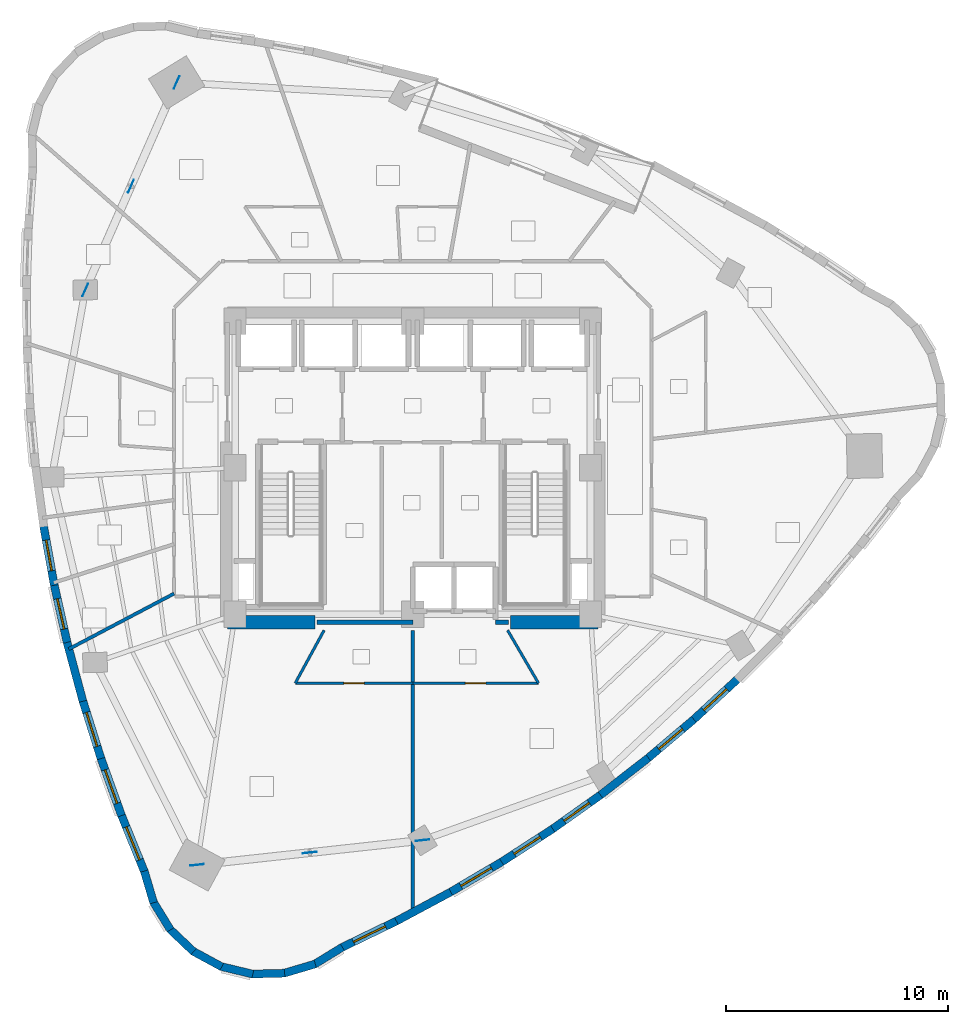
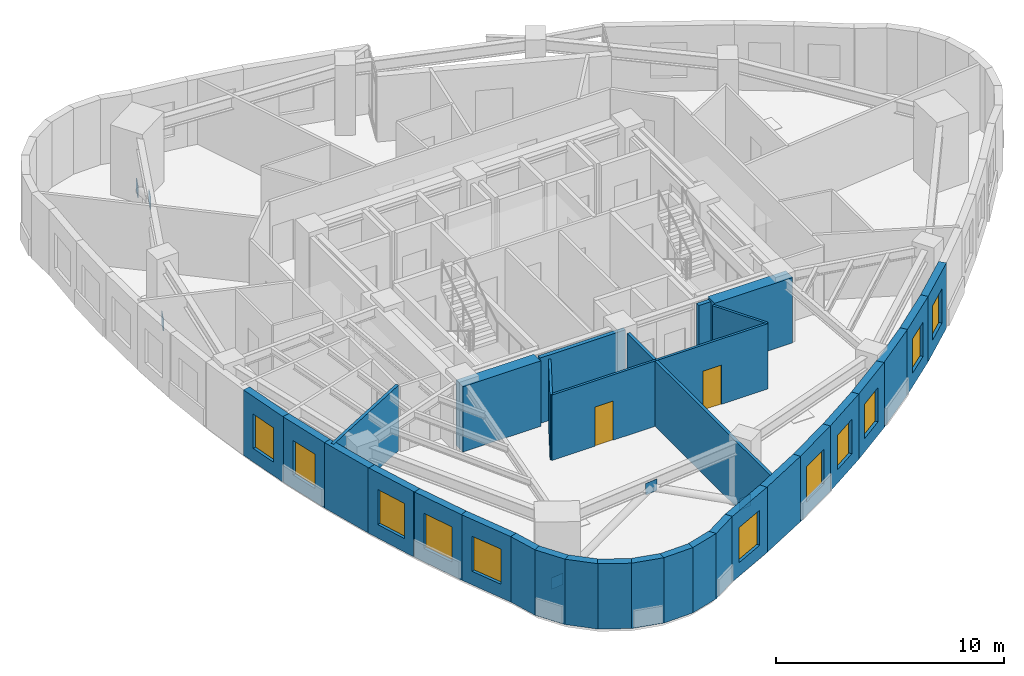
# One storey, part 6 of 13: 32 walls, 11 windows, 6 plates, 2 doors, 13 openings.
"""IFC4 building model written with IfcOpenShell, lengths in metres."""

from ifc_helpers import new_model, si_unit, direction, frame, frame_2d, origin, origin_2d, place, context, subcontext, project, spatial, rectangle, extrude, material, layer, layer_set, type_object, element, fill, save


model = new_model("IFC4")

# Units and contexts
model_context = context("Model", 3, precision=1e-05, world=origin(), true_north=direction((0.0, 1.0)))
body_context = subcontext(model_context, "Body", "Model", "MODEL_VIEW")
ifc_project = project(units=[si_unit("LENGTHUNIT", "METRE"), si_unit("AREAUNIT", "SQUARE_METRE"), si_unit("VOLUMEUNIT", "CUBIC_METRE"), si_unit("PLANEANGLEUNIT", "RADIAN"), si_unit("MASSUNIT", "GRAM", prefix="KILO")], contexts=[model_context])

# Site, building, storey
site_placement = place(None, origin())
site = spatial("IfcSite", under=ifc_project, at=site_placement, CompositionType="ELEMENT")
building_placement = place(site_placement, origin())
building = spatial("IfcBuilding", under=site, at=building_placement, Name="Ndelora Gate Hotel", CompositionType="ELEMENT")
storey_placement = place(building_placement, frame((0.0, 0.0, 157.25)))
storey = spatial("IfcBuildingStorey", under=building, at=storey_placement, Name="L39", CompositionType="ELEMENT", Elevation=157.25)

# Plates
ifc_material_1 = material(Name="Steel S355", Category="steel")
ifc_layer_1 = layer(ifc_material_1, 0.02001953125)
ifc_layer_set_1 = layer_set([ifc_layer_1], Name="Steel S355")
plate_type = type_object("IfcPlateType", Name="PL-NODE-VN1", PredefinedType="USERDEFINED", material=ifc_layer_set_1)
for number, where, z_axis, x_axis, name in (
    (1, (-10.63330078125, 17.351806640625, -0.2900390625), (0.0, 0.0, 1.0), (0.402906435714, 0.915241172621, 0.0), "Node gusset cap plate VN1"),
    (2, (-14.74658203125, 8.006591796875, -0.2900390625), (0.0, 0.0, 1.0), (0.402906435714, 0.915241172621, 0.0), "Node gusset cap plate VN1"),
    (3, (-12.68994140625, 12.67919921875, 2.639892578125), (0.0, 0.0, 1.0), (0.402906435714, 0.915241172621, 0.0), "Node gusset cap plate VN1"),
    (4, (-9.71044921875, -17.884521484375, -0.2900390625), (0.0, 0.0, 1.0), (0.994075323936, 0.108693377634, 0.0), "Node gusset cap plate VN1"),
    (5, (0.439208984375, -16.7744140625, -0.2900390625), (0.0, 0.0, 1.0), (0.994075323936, 0.108693377634, 0.0), "Node gusset cap plate VN1"),
    (6, (-4.6357421875, -17.32958984375, 2.639892578125), (0.0, 0.0, 1.0), (0.994075323936, 0.108693377634, 0.0), "Node gusset cap plate VN1"),
):
    element("IfcPlate", number, at=place(storey_placement, frame(where, z_axis=z_axis, x_axis=x_axis)), inside=storey, type_object=plate_type, Name=name, ObjectType="GUSSET_PLATE", PredefinedType="USERDEFINED", context=body_context, shape_type="SweptSolid", body=[
        extrude(rectangle(XDim=0.6201171875, YDim=0.02001953125, at=origin_2d()), origin(), (0.0, 0.0, 1.0), 0.6201171875),
    ])

# Wall, opening, window
ifc_material_2 = material(Name="Clay Brick Masonry", Category="masonry")
ifc_layer_2 = layer(ifc_material_2, 0.360107421875)
ifc_layer_set_2 = layer_set([ifc_layer_2], Name="Clay Brick Masonry")
wall_type_1 = type_object("IfcWallType", Name="WL-BRICK-360", PredefinedType="SOLIDWALL", material=ifc_layer_set_2)
wall_1_placement = place(storey_placement, frame((-16.143310546875, -5.29443359375, 0.0), z_axis=(0.0, 0.0, 1.0), x_axis=(-0.177366119488, 0.984144938339, 0.0)))
wall_1 = element("IfcWall", 7, at=wall_1_placement, inside=storey, type_object=wall_type_1, Name="L39 Tower Brick Pier-and-Spandrel Wall TWR-15", PredefinedType="SOLIDWALL", context=body_context, shape_type="SweptSolid", body=[
    extrude(rectangle(XDim=2.7294921875, YDim=0.360107421875, at=frame_2d((1.36474609375, 0.0))), origin(), (0.0, 0.0, 1.0), 3.5),
])
opening_1_placement = place(wall_1_placement, frame((0.664794921875, 0.0, 0.719970703125)))
opening_1 = element("IfcOpeningElement", 8, at=opening_1_placement, cuts=wall_1, Name="Opening W02", PredefinedType="OPENING", context=body_context, shape_type="SweptSolid", body=[
    extrude(rectangle(XDim=1.39990234375, YDim=1.840087890625, at=frame_2d((0.699951171875, 0.919921875))), frame((0.0, 0.18994140625, 0.0), z_axis=(0.0, -1.0, 0.0), x_axis=(1.0, 0.0, 0.0)), (0.0, 0.0, 1.0), 0.380126953125),
])
ifc_material_3 = material(Name="Insulated Low-E Double Glazing in Bronze Aluminium Frame", Category="aluminium")
window_type_1 = type_object("IfcWindowType", Name="WN-DEEP-1400", PartitioningType="SINGLE_PANEL", PredefinedType="WINDOW", material=ifc_material_3)
window_1_placement = place(opening_1_placement, origin())
window_1 = element("IfcWindow", 9, at=window_1_placement, inside=storey, type_object=window_type_1, Name="L39 Deep-Set Brick-Pier Window W02", OverallHeight=1.840087890625, OverallWidth=1.39990234375, PartitioningType="SINGLE_PANEL", PredefinedType="WINDOW", context=body_context, shape_type="SweptSolid", body=[
    extrude(rectangle(XDim=1.39990234375, YDim=1.840087890625, at=frame_2d((0.699951171875, 0.919921875))), frame((0.0, 0.030029296875, 0.0), z_axis=(0.0, -1.0, 0.0), x_axis=(1.0, 0.0, 0.0)), (0.0, 0.0, 1.0), 0.06005859375),
])
fill(opening_1, window_1)

wall_2_placement = place(storey_placement, frame((-15.55419921875, -7.91357421875, 0.0), z_axis=(0.0, 0.0, 1.0), x_axis=(-0.219019260065, 0.975720535666, 0.0)))
wall_2 = element("IfcWall", 10, at=wall_2_placement, inside=storey, type_object=wall_type_1, Name="L39 Tower Brick Pier-and-Spandrel Wall TWR-16", PredefinedType="SOLIDWALL", context=body_context, shape_type="SweptSolid", body=[
    extrude(rectangle(XDim=2.734375, YDim=0.360107421875, at=frame_2d((1.3671875, 0.0))), origin(), (0.0, 0.0, 1.0), 3.5),
])
opening_2_placement = place(wall_2_placement, frame((0.667236328125, 0.0, 0.719970703125)))
opening_2 = element("IfcOpeningElement", 11, at=opening_2_placement, cuts=wall_2, Name="Opening W02", PredefinedType="OPENING", context=body_context, shape_type="SweptSolid", body=[
    extrude(rectangle(XDim=1.39990234375, YDim=1.840087890625, at=frame_2d((0.699951171875, 0.919921875))), frame((0.0, 0.18994140625, 0.0), z_axis=(0.0, -1.0, 0.0), x_axis=(1.0, 0.0, 0.0)), (0.0, 0.0, 1.0), 0.380126953125),
])
window_2_placement = place(opening_2_placement, origin())
window_2 = element("IfcWindow", 12, at=window_2_placement, inside=storey, type_object=window_type_1, Name="L39 Deep-Set Brick-Pier Window W02", OverallHeight=1.840087890625, OverallWidth=1.39990234375, PartitioningType="SINGLE_PANEL", PredefinedType="WINDOW", context=body_context, shape_type="SweptSolid", body=[
    extrude(rectangle(XDim=1.39990234375, YDim=1.840087890625, at=frame_2d((0.699951171875, 0.919921875))), frame((0.0, 0.030029296875, 0.0), z_axis=(0.0, -1.0, 0.0), x_axis=(1.0, 0.0, 0.0)), (0.0, 0.0, 1.0), 0.06005859375),
])
fill(opening_2, window_2)

# Wall
wall_3_placement = place(storey_placement, frame((-14.85302734375, -10.5146484375, 0.0), z_axis=(0.0, 0.0, 1.0), x_axis=(-0.259976664172, 0.965614899474, 0.0)))
element("IfcWall", 13, at=wall_3_placement, inside=storey, type_object=wall_type_1, Name="L39 Tower Brick Pier-and-Spandrel Wall TWR-17", PredefinedType="SOLIDWALL", context=body_context, shape_type="SweptSolid", body=[
    extrude(rectangle(XDim=2.743896484375, YDim=0.360107421875, at=frame_2d((1.3720703125, 0.0))), origin(), (0.0, 0.0, 1.0), 3.5),
])

# Wall, opening, window
wall_4_placement = place(storey_placement, frame((-14.039306640625, -13.097900390625, 0.0), z_axis=(0.0, 0.0, 1.0), x_axis=(-0.300063656013, 0.953919180193, 0.0)))
wall_4 = element("IfcWall", 14, at=wall_4_placement, inside=storey, type_object=wall_type_1, Name="L39 Tower Brick Pier-and-Spandrel Wall TWR-18", PredefinedType="SOLIDWALL", context=body_context, shape_type="SweptSolid", body=[
    extrude(rectangle(XDim=2.75830078125, YDim=0.360107421875, at=frame_2d((1.379150390625, 0.0))), origin(), (0.0, 0.0, 1.0), 3.5),
])
opening_3_placement = place(wall_4_placement, frame((0.5791015625, 0.0, 0.719970703125)))
opening_3 = element("IfcOpeningElement", 15, at=opening_3_placement, cuts=wall_4, Name="Opening W01", PredefinedType="OPENING", context=body_context, shape_type="SweptSolid", body=[
    extrude(rectangle(XDim=1.60009765625, YDim=1.8798828125, at=frame_2d((0.800048828125, 0.93994140625))), frame((0.0, 0.18994140625, 0.0), z_axis=(0.0, -1.0, 0.0), x_axis=(1.0, 0.0, 0.0)), (0.0, 0.0, 1.0), 0.380126953125),
])
window_type_2 = type_object("IfcWindowType", Name="WN-DEEP-1600", PartitioningType="SINGLE_PANEL", PredefinedType="WINDOW", material=ifc_material_3)
window_3_placement = place(opening_3_placement, origin())
window_3 = element("IfcWindow", 16, at=window_3_placement, inside=storey, type_object=window_type_2, Name="L39 Deep-Set Brick-Pier Window W01", OverallHeight=1.8798828125, OverallWidth=1.60009765625, PartitioningType="SINGLE_PANEL", PredefinedType="WINDOW", context=body_context, shape_type="SweptSolid", body=[
    extrude(rectangle(XDim=1.60009765625, YDim=1.8798828125, at=frame_2d((0.800048828125, 0.93994140625))), frame((0.0, 0.030029296875, 0.0), z_axis=(0.0, -1.0, 0.0), x_axis=(1.0, 0.0, 0.0)), (0.0, 0.0, 1.0), 0.06005859375),
])
fill(opening_3, window_3)

wall_5_placement = place(storey_placement, frame((-13.113037109375, -15.66357421875, 0.0), z_axis=(0.0, 0.0, 1.0), x_axis=(-0.339208104653, 0.940711359418, 0.0)))
wall_5 = element("IfcWall", 17, at=wall_5_placement, inside=storey, type_object=wall_type_1, Name="L39 Tower Brick Pier-and-Spandrel Wall TWR-19", PredefinedType="SOLIDWALL", context=body_context, shape_type="SweptSolid", body=[
    extrude(rectangle(XDim=2.77734375, YDim=0.360107421875, at=frame_2d((1.388671875, 0.0))), origin(), (0.0, 0.0, 1.0), 3.5),
])
opening_4_placement = place(wall_5_placement, frame((0.5888671875, 0.0, 0.719970703125)))
opening_4 = element("IfcOpeningElement", 18, at=opening_4_placement, cuts=wall_5, Name="Opening W01", PredefinedType="OPENING", context=body_context, shape_type="SweptSolid", body=[
    extrude(rectangle(XDim=1.60009765625, YDim=1.8798828125, at=frame_2d((0.800048828125, 0.93994140625))), frame((0.0, 0.18994140625, 0.0), z_axis=(0.0, -1.0, 0.0), x_axis=(1.0, 0.0, 0.0)), (0.0, 0.0, 1.0), 0.380126953125),
])
window_4_placement = place(opening_4_placement, origin())
window_4 = element("IfcWindow", 19, at=window_4_placement, inside=storey, type_object=window_type_2, Name="L39 Deep-Set Brick-Pier Window W01", OverallHeight=1.8798828125, OverallWidth=1.60009765625, PartitioningType="SINGLE_PANEL", PredefinedType="WINDOW", context=body_context, shape_type="SweptSolid", body=[
    extrude(rectangle(XDim=1.60009765625, YDim=1.8798828125, at=frame_2d((0.800048828125, 0.93994140625))), frame((0.0, 0.030029296875, 0.0), z_axis=(0.0, -1.0, 0.0), x_axis=(1.0, 0.0, 0.0)), (0.0, 0.0, 1.0), 0.06005859375),
])
fill(opening_4, window_4)

wall_6_placement = place(storey_placement, frame((-12.07421875, -18.211181640625, 0.0), z_axis=(0.0, 0.0, 1.0), x_axis=(-0.377183384967, 0.926138593357, 0.0)))
wall_6 = element("IfcWall", 20, at=wall_6_placement, inside=storey, type_object=wall_type_1, Name="L39 Tower Brick Pier-and-Spandrel Wall TWR-20", PredefinedType="SOLIDWALL", context=body_context, shape_type="SweptSolid", body=[
    extrude(rectangle(XDim=2.801513671875, YDim=0.360107421875, at=frame_2d((1.40087890625, 0.0))), origin(), (0.0, 0.0, 1.0), 3.5),
])
opening_5_placement = place(wall_6_placement, frame((0.6005859375, 0.0, 0.719970703125)))
opening_5 = element("IfcOpeningElement", 21, at=opening_5_placement, cuts=wall_6, Name="Opening W01", PredefinedType="OPENING", context=body_context, shape_type="SweptSolid", body=[
    extrude(rectangle(XDim=1.60009765625, YDim=1.8798828125, at=frame_2d((0.800048828125, 0.93994140625))), frame((0.0, 0.18994140625, 0.0), z_axis=(0.0, -1.0, 0.0), x_axis=(1.0, 0.0, 0.0)), (0.0, 0.0, 1.0), 0.380126953125),
])
window_5_placement = place(opening_5_placement, origin())
window_5 = element("IfcWindow", 22, at=window_5_placement, inside=storey, type_object=window_type_2, Name="L39 Deep-Set Brick-Pier Window W01", OverallHeight=1.8798828125, OverallWidth=1.60009765625, PartitioningType="SINGLE_PANEL", PredefinedType="WINDOW", context=body_context, shape_type="SweptSolid", body=[
    extrude(rectangle(XDim=1.60009765625, YDim=1.8798828125, at=frame_2d((0.800048828125, 0.93994140625))), frame((0.0, 0.030029296875, 0.0), z_axis=(0.0, -1.0, 0.0), x_axis=(1.0, 0.0, 0.0)), (0.0, 0.0, 1.0), 0.06005859375),
])
fill(opening_5, window_5)

# Walls
for number, where, z_axis, x_axis, name in (
    (23, (-11.668701171875, -19.588623046875, 0.0), (0.0, 0.0, 1.0), (-0.284105113664, 0.95879313952, 0.0), "L39 Tower Brick Pier-and-Spandrel Wall TWR-21"),
    (24, (-10.91259765625, -20.81005859375, 0.0), (0.0, 0.0, 1.0), (-0.522519673624, 0.852627228439, 0.0), "L39 Tower Brick Pier-and-Spandrel Wall TWR-22"),
    (25, (-9.8662109375, -21.79443359375, 0.0), (0.0, 0.0, 1.0), (-0.725270134981, 0.688464400899, 0.0), "L39 Tower Brick Pier-and-Spandrel Wall TWR-23"),
):
    element("IfcWall", number, at=place(storey_placement, frame(where, z_axis=z_axis, x_axis=x_axis)), inside=storey, type_object=wall_type_1, Name=name, PredefinedType="SOLIDWALL", context=body_context, shape_type="SweptSolid", body=[
        extrude(rectangle(XDim=1.48583984375, YDim=0.360107421875, at=frame_2d((0.742919921875, 0.0))), origin(), (0.0, 0.0, 1.0), 3.5),
    ])
wall_7_placement = place(storey_placement, frame((-8.6005859375, -22.47412109375, 0.0), z_axis=(0.0, 0.0, 1.0), x_axis=(-0.878867212286, 0.477066476677, 0.0)))
element("IfcWall", 26, at=wall_7_placement, inside=storey, type_object=wall_type_1, Name="L39 Tower Brick Pier-and-Spandrel Wall TWR-24", PredefinedType="SOLIDWALL", context=body_context, shape_type="SweptSolid", body=[
    extrude(rectangle(XDim=1.485595703125, YDim=0.360107421875, at=frame_2d((0.74267578125, 0.0))), origin(), (0.0, 0.0, 1.0), 3.5),
])
wall_8_placement = place(storey_placement, frame((-7.201904296875, -22.80322265625, 0.0), z_axis=(0.0, 0.0, 1.0), x_axis=(-0.972399232605, 0.233323235941, 0.0)))
element("IfcWall", 27, at=wall_8_placement, inside=storey, type_object=wall_type_1, Name="L39 Tower Brick Pier-and-Spandrel Wall TWR-25", PredefinedType="SOLIDWALL", context=body_context, shape_type="SweptSolid", body=[
    extrude(rectangle(XDim=1.48583984375, YDim=0.360107421875, at=frame_2d((0.742919921875, 0.0))), origin(), (0.0, 0.0, 1.0), 3.5),
])
wall_9_placement = place(storey_placement, frame((-5.76611328125, -22.75927734375, 0.0), z_axis=(0.0, 0.0, 1.0), x_axis=(-0.999658566483, -0.026129494011, 0.0)))
element("IfcWall", 28, at=wall_9_placement, inside=storey, type_object=wall_type_1, Name="L39 Tower Brick Pier-and-Spandrel Wall TWR-26", PredefinedType="SOLIDWALL", context=body_context, shape_type="SweptSolid", body=[
    extrude(rectangle(XDim=1.485595703125, YDim=0.360107421875, at=frame_2d((0.74267578125, 0.0))), origin(), (0.0, 0.0, 1.0), 3.5),
])
for number, where, z_axis, x_axis, name in (
    (29, (-4.390380859375, -22.344970703125, 0.0), (0.0, 0.0, 1.0), (-0.95879313952, -0.284105113664, 0.0), "L39 Tower Brick Pier-and-Spandrel Wall TWR-27"),
    (30, (-3.1689453125, -21.5888671875, 0.0), (0.0, 0.0, 1.0), (-0.852627228439, -0.522519673624, 0.0), "L39 Tower Brick Pier-and-Spandrel Wall TWR-28"),
):
    element("IfcWall", number, at=place(storey_placement, frame(where, z_axis=z_axis, x_axis=x_axis)), inside=storey, type_object=wall_type_1, Name=name, PredefinedType="SOLIDWALL", context=body_context, shape_type="SweptSolid", body=[
        extrude(rectangle(XDim=1.48583984375, YDim=0.360107421875, at=frame_2d((0.742919921875, 0.0))), origin(), (0.0, 0.0, 1.0), 3.5),
    ])

# Wall, opening, window
wall_10_placement = place(storey_placement, frame((-0.69140625, -20.391845703125, 0.0), z_axis=(0.0, 0.0, 1.0), x_axis=(-0.900020320683, -0.435847934902, 0.0)))
wall_10 = element("IfcWall", 31, at=wall_10_placement, inside=storey, type_object=wall_type_1, Name="L39 Tower Brick Pier-and-Spandrel Wall TWR-29", PredefinedType="SOLIDWALL", context=body_context, shape_type="SweptSolid", body=[
    extrude(rectangle(XDim=2.80126953125, YDim=0.360107421875, at=frame_2d((1.400634765625, 0.0))), origin(), (0.0, 0.0, 1.0), 3.5),
])
opening_6_placement = place(wall_10_placement, frame((0.6005859375, 0.0, 0.719970703125)))
opening_6 = element("IfcOpeningElement", 32, at=opening_6_placement, cuts=wall_10, Name="Opening W03", PredefinedType="OPENING", context=body_context, shape_type="SweptSolid", body=[
    extrude(rectangle(XDim=1.60009765625, YDim=1.8798828125, at=frame_2d((0.800048828125, 0.93994140625))), frame((0.0, 0.18994140625, 0.0), z_axis=(0.0, -1.0, 0.0), x_axis=(1.0, 0.0, 0.0)), (0.0, 0.0, 1.0), 0.380126953125),
])
window_type_3 = type_object("IfcWindowType", Name="WN-CORN-2100", PartitioningType="SINGLE_PANEL", PredefinedType="WINDOW", material=ifc_material_3)
window_6_placement = place(opening_6_placement, origin())
window_6 = element("IfcWindow", 33, at=window_6_placement, inside=storey, type_object=window_type_3, Name="L39 Deep-Set Brick-Pier Window W03", OverallHeight=1.8798828125, OverallWidth=1.60009765625, PartitioningType="SINGLE_PANEL", PredefinedType="WINDOW", context=body_context, shape_type="SweptSolid", body=[
    extrude(rectangle(XDim=1.60009765625, YDim=1.8798828125, at=frame_2d((0.800048828125, 0.93994140625))), frame((0.0, 0.030029296875, 0.0), z_axis=(0.0, -1.0, 0.0), x_axis=(1.0, 0.0, 0.0)), (0.0, 0.0, 1.0), 0.06005859375),
])
fill(opening_6, window_6)

# Wall
wall_11_placement = place(storey_placement, frame((1.71240234375, -19.103271484375, 0.0), z_axis=(0.0, 0.0, 1.0), x_axis=(-0.881541378785, -0.472106764927, 0.0)))
element("IfcWall", 34, at=wall_11_placement, inside=storey, type_object=wall_type_1, Name="L39 Tower Brick Pier-and-Spandrel Wall TWR-30", PredefinedType="SOLIDWALL", context=body_context, shape_type="SweptSolid", body=[
    extrude(rectangle(XDim=2.777587890625, YDim=0.360107421875, at=frame_2d((1.388671875, 0.0))), origin(), (0.0, 0.0, 1.0), 3.5),
])

# Wall, opening, window
wall_12_placement = place(storey_placement, frame((4.044677734375, -17.726318359375, 0.0), z_axis=(0.0, 0.0, 1.0), x_axis=(-0.861319225374, -0.508064161304, 0.0)))
wall_12 = element("IfcWall", 35, at=wall_12_placement, inside=storey, type_object=wall_type_1, Name="L39 Tower Brick Pier-and-Spandrel Wall TWR-31", PredefinedType="SOLIDWALL", context=body_context, shape_type="SweptSolid", body=[
    extrude(rectangle(XDim=2.75830078125, YDim=0.360107421875, at=frame_2d((1.379150390625, 0.0))), origin(), (0.0, 0.0, 1.0), 3.5),
])
opening_7_placement = place(wall_12_placement, frame((0.5791015625, 0.0, 0.719970703125)))
opening_7 = element("IfcOpeningElement", 36, at=opening_7_placement, cuts=wall_12, Name="Opening W01", PredefinedType="OPENING", context=body_context, shape_type="SweptSolid", body=[
    extrude(rectangle(XDim=1.60009765625, YDim=1.8798828125, at=frame_2d((0.800048828125, 0.93994140625))), frame((0.0, 0.18994140625, 0.0), z_axis=(0.0, -1.0, 0.0), x_axis=(1.0, 0.0, 0.0)), (0.0, 0.0, 1.0), 0.380126953125),
])
window_7_placement = place(opening_7_placement, origin())
window_7 = element("IfcWindow", 37, at=window_7_placement, inside=storey, type_object=window_type_2, Name="L39 Deep-Set Brick-Pier Window W01", OverallHeight=1.8798828125, OverallWidth=1.60009765625, PartitioningType="SINGLE_PANEL", PredefinedType="WINDOW", context=body_context, shape_type="SweptSolid", body=[
    extrude(rectangle(XDim=1.60009765625, YDim=1.8798828125, at=frame_2d((0.800048828125, 0.93994140625))), frame((0.0, 0.030029296875, 0.0), z_axis=(0.0, -1.0, 0.0), x_axis=(1.0, 0.0, 0.0)), (0.0, 0.0, 1.0), 0.06005859375),
])
fill(opening_7, window_7)

wall_13_placement = place(storey_placement, frame((6.305419921875, -16.2607421875, 0.0), z_axis=(0.0, 0.0, 1.0), x_axis=(-0.839300336379, -0.543668047023, 0.0)))
wall_13 = element("IfcWall", 38, at=wall_13_placement, inside=storey, type_object=wall_type_1, Name="L39 Tower Brick Pier-and-Spandrel Wall TWR-32", PredefinedType="SOLIDWALL", context=body_context, shape_type="SweptSolid", body=[
    extrude(rectangle(XDim=2.744140625, YDim=0.360107421875, at=frame_2d((1.3720703125, 0.0))), origin(), (0.0, 0.0, 1.0), 3.5),
])
opening_8_placement = place(wall_13_placement, frame((0.672119140625, 0.0, 0.719970703125)))
opening_8 = element("IfcOpeningElement", 39, at=opening_8_placement, cuts=wall_13, Name="Opening W02", PredefinedType="OPENING", context=body_context, shape_type="SweptSolid", body=[
    extrude(rectangle(XDim=1.39990234375, YDim=1.840087890625, at=frame_2d((0.699951171875, 0.919921875))), frame((0.0, 0.18994140625, 0.0), z_axis=(0.0, -1.0, 0.0), x_axis=(1.0, 0.0, 0.0)), (0.0, 0.0, 1.0), 0.380126953125),
])
window_8_placement = place(opening_8_placement, origin())
window_8 = element("IfcWindow", 40, at=window_8_placement, inside=storey, type_object=window_type_1, Name="L39 Deep-Set Brick-Pier Window W02", OverallHeight=1.840087890625, OverallWidth=1.39990234375, PartitioningType="SINGLE_PANEL", PredefinedType="WINDOW", context=body_context, shape_type="SweptSolid", body=[
    extrude(rectangle(XDim=1.39990234375, YDim=1.840087890625, at=frame_2d((0.699951171875, 0.919921875))), frame((0.0, 0.030029296875, 0.0), z_axis=(0.0, -1.0, 0.0), x_axis=(1.0, 0.0, 0.0)), (0.0, 0.0, 1.0), 0.06005859375),
])
fill(opening_8, window_8)

wall_14_placement = place(storey_placement, frame((8.494140625, -14.706787109375, 0.0), z_axis=(0.0, 0.0, 1.0), x_axis=(-0.815629470239, -0.578574599579, 0.0)))
wall_14 = element("IfcWall", 41, at=wall_14_placement, inside=storey, type_object=wall_type_1, Name="L39 Tower Brick Pier-and-Spandrel Wall TWR-33", PredefinedType="SOLIDWALL", context=body_context, shape_type="SweptSolid", body=[
    extrude(rectangle(XDim=2.734375, YDim=0.360107421875, at=frame_2d((1.3671875, 0.0))), origin(), (0.0, 0.0, 1.0), 3.5),
])
opening_9_placement = place(wall_14_placement, frame((0.667236328125, 0.0, 0.719970703125)))
opening_9 = element("IfcOpeningElement", 42, at=opening_9_placement, cuts=wall_14, Name="Opening W02", PredefinedType="OPENING", context=body_context, shape_type="SweptSolid", body=[
    extrude(rectangle(XDim=1.39990234375, YDim=1.840087890625, at=frame_2d((0.699951171875, 0.919921875))), frame((0.0, 0.18994140625, 0.0), z_axis=(0.0, -1.0, 0.0), x_axis=(1.0, 0.0, 0.0)), (0.0, 0.0, 1.0), 0.380126953125),
])
window_9_placement = place(opening_9_placement, origin())
window_9 = element("IfcWindow", 43, at=window_9_placement, inside=storey, type_object=window_type_1, Name="L39 Deep-Set Brick-Pier Window W02", OverallHeight=1.840087890625, OverallWidth=1.39990234375, PartitioningType="SINGLE_PANEL", PredefinedType="WINDOW", context=body_context, shape_type="SweptSolid", body=[
    extrude(rectangle(XDim=1.39990234375, YDim=1.840087890625, at=frame_2d((0.699951171875, 0.919921875))), frame((0.0, 0.030029296875, 0.0), z_axis=(0.0, -1.0, 0.0), x_axis=(1.0, 0.0, 0.0)), (0.0, 0.0, 1.0), 0.06005859375),
])
fill(opening_9, window_9)

# Wall
wall_15_placement = place(storey_placement, frame((10.611328125, -13.064208984375, 0.0), z_axis=(0.0, 0.0, 1.0), x_axis=(-0.790324098026, -0.612689007637, 0.0)))
element("IfcWall", 44, at=wall_15_placement, inside=storey, type_object=wall_type_1, Name="L39 Tower Brick Pier-and-Spandrel Wall TWR-34", PredefinedType="SOLIDWALL", context=body_context, shape_type="SweptSolid", body=[
    extrude(rectangle(XDim=2.7294921875, YDim=0.360107421875, at=frame_2d((1.36474609375, 0.0))), origin(), (0.0, 0.0, 1.0), 3.5),
])

# Wall, opening, window
wall_16_placement = place(storey_placement, frame((12.65673828125, -11.333251953125, 0.0), z_axis=(0.0, 0.0, 1.0), x_axis=(-0.76358981137, -0.645701633862, 0.0)))
wall_16 = element("IfcWall", 45, at=wall_16_placement, inside=storey, type_object=wall_type_1, Name="L39 Tower Brick Pier-and-Spandrel Wall TWR-35", PredefinedType="SOLIDWALL", context=body_context, shape_type="SweptSolid", body=[
    extrude(rectangle(XDim=2.7294921875, YDim=0.360107421875, at=frame_2d((1.36474609375, 0.0))), origin(), (0.0, 0.0, 1.0), 3.5),
])
opening_10_placement = place(wall_16_placement, frame((0.664794921875, 0.0, 0.719970703125)))
opening_10 = element("IfcOpeningElement", 46, at=opening_10_placement, cuts=wall_16, Name="Opening W02", PredefinedType="OPENING", context=body_context, shape_type="SweptSolid", body=[
    extrude(rectangle(XDim=1.39990234375, YDim=1.840087890625, at=frame_2d((0.699951171875, 0.919921875))), frame((0.0, 0.18994140625, 0.0), z_axis=(0.0, -1.0, 0.0), x_axis=(1.0, 0.0, 0.0)), (0.0, 0.0, 1.0), 0.380126953125),
])
window_10_placement = place(opening_10_placement, origin())
window_10 = element("IfcWindow", 47, at=window_10_placement, inside=storey, type_object=window_type_1, Name="L39 Deep-Set Brick-Pier Window W02", OverallHeight=1.840087890625, OverallWidth=1.39990234375, PartitioningType="SINGLE_PANEL", PredefinedType="WINDOW", context=body_context, shape_type="SweptSolid", body=[
    extrude(rectangle(XDim=1.39990234375, YDim=1.840087890625, at=frame_2d((0.699951171875, 0.919921875))), frame((0.0, 0.030029296875, 0.0), z_axis=(0.0, -1.0, 0.0), x_axis=(1.0, 0.0, 0.0)), (0.0, 0.0, 1.0), 0.06005859375),
])
fill(opening_10, window_10)

wall_17_placement = place(storey_placement, frame((14.630615234375, -9.513671875, 0.0), z_axis=(0.0, 0.0, 1.0), x_axis=(-0.735528713193, -0.677493551312, 0.0)))
wall_17 = element("IfcWall", 48, at=wall_17_placement, inside=storey, type_object=wall_type_1, Name="L39 Tower Brick Pier-and-Spandrel Wall TWR-36", PredefinedType="SOLIDWALL", context=body_context, shape_type="SweptSolid", body=[
    extrude(rectangle(XDim=2.734375, YDim=0.360107421875, at=frame_2d((1.3671875, 0.0))), origin(), (0.0, 0.0, 1.0), 3.5),
])
opening_11_placement = place(wall_17_placement, frame((0.667236328125, 0.0, 0.719970703125)))
opening_11 = element("IfcOpeningElement", 49, at=opening_11_placement, cuts=wall_17, Name="Opening W02", PredefinedType="OPENING", context=body_context, shape_type="SweptSolid", body=[
    extrude(rectangle(XDim=1.39990234375, YDim=1.840087890625, at=frame_2d((0.699951171875, 0.919921875))), frame((0.0, 0.18994140625, 0.0), z_axis=(0.0, -1.0, 0.0), x_axis=(1.0, 0.0, 0.0)), (0.0, 0.0, 1.0), 0.380126953125),
])
window_11_placement = place(opening_11_placement, origin())
window_11 = element("IfcWindow", 50, at=window_11_placement, inside=storey, type_object=window_type_1, Name="L39 Deep-Set Brick-Pier Window W02", OverallHeight=1.840087890625, OverallWidth=1.39990234375, PartitioningType="SINGLE_PANEL", PredefinedType="WINDOW", context=body_context, shape_type="SweptSolid", body=[
    extrude(rectangle(XDim=1.39990234375, YDim=1.840087890625, at=frame_2d((0.699951171875, 0.919921875))), frame((0.0, 0.030029296875, 0.0), z_axis=(0.0, -1.0, 0.0), x_axis=(1.0, 0.0, 0.0)), (0.0, 0.0, 1.0), 0.06005859375),
])
fill(opening_11, window_11)

# Walls
ifc_material_4 = material(Name="Concrete C60/75", Category="concrete")
ifc_layer_3 = layer(ifc_material_4, 0.60009765625)
ifc_layer_set_3 = layer_set([ifc_layer_3], Name="Concrete C60/75")
wall_type_2 = type_object("IfcWallType", Name="WL-CORE-600", PredefinedType="SHEAR", material=ifc_layer_set_3)
for number, where, z_axis, x_axis, name in (
    (51, (-8.35009765625, -6.949951171875, 0.0), (0.0, 0.0, 1.0), (1.0, 0.0, 0.0), "L39 Core Shear Wall S-W"),
    (52, (4.39990234375, -6.949951171875, 0.0), (0.0, 0.0, 1.0), (1.0, 0.0, 0.0), "L39 Core Shear Wall S-E"),
):
    element("IfcWall", number, at=place(storey_placement, frame(where, z_axis=z_axis, x_axis=x_axis)), inside=storey, type_object=wall_type_2, Name=name, PredefinedType="SHEAR", context=body_context, shape_type="SweptSolid", body=[
        extrude(rectangle(XDim=3.9501953125, YDim=0.60009765625, at=frame_2d((1.97509765625, 0.0))), origin(), (0.0, 0.0, 1.0), 3.5),
    ])
ifc_material_5 = material(Name="Concrete C40/50", Category="concrete")
ifc_layer_4 = layer(ifc_material_5, 0.199951171875)
ifc_layer_set_4 = layer_set([ifc_layer_4], Name="Concrete C40/50")
wall_type_3 = type_object("IfcWallType", Name="WL-FIRE-200", PredefinedType="PARTITIONING", material=ifc_layer_set_4)
wall_18_placement = place(storey_placement, frame((-4.320068359375, -6.949951171875, 0.0), z_axis=(0.0, 0.0, 1.0), x_axis=(1.0, 0.0, 0.0)))
element("IfcWall", 53, at=wall_18_placement, inside=storey, type_object=wall_type_3, Name="L39 Interior Wall IW-2", PredefinedType="PARTITIONING", context=body_context, shape_type="SweptSolid", body=[
    extrude(rectangle(XDim=4.320068359375, YDim=0.199951171875, at=frame_2d((2.16015625, 0.0))), origin(), (0.0, 0.0, 1.0), 3.5),
])
wall_19_placement = place(storey_placement, frame((3.719970703125, -6.949951171875, 0.0), z_axis=(0.0, 0.0, 1.0), x_axis=(1.0, 0.0, 0.0)))
element("IfcWall", 54, at=wall_19_placement, inside=storey, type_object=wall_type_3, Name="L39 Interior Wall IW-2", PredefinedType="PARTITIONING", context=body_context, shape_type="SweptSolid", body=[
    extrude(rectangle(XDim=0.60009765625, YDim=0.199951171875, at=frame_2d((0.300048828125, 0.0))), origin(), (0.0, 0.0, 1.0), 3.5),
])
ifc_material_6 = material(Name="Fire-Rated Gypsum Stud Partition", Category="gypsum")
ifc_layer_5 = layer(ifc_material_6, 0.14990234375)
ifc_layer_set_5 = layer_set([ifc_layer_5], Name="Fire-Rated Gypsum Stud Partition")
wall_type_4 = type_object("IfcWallType", Name="WL-PART-150", PredefinedType="PARTITIONING", material=ifc_layer_set_5)
wall_20_placement = place(storey_placement, frame((-10.75, -5.667724609375, 0.0), z_axis=(0.0, 0.0, 1.0), x_axis=(-0.884578678767, -0.466390995915, 0.0)))
element("IfcWall", 55, at=wall_20_placement, inside=storey, type_object=wall_type_4, Name="L39 Interior Wall IW-5", PredefinedType="PARTITIONING", context=body_context, shape_type="SweptSolid", body=[
    extrude(rectangle(XDim=5.353515625, YDim=0.14990234375, at=frame_2d((2.6767578125, 0.0))), origin(), (0.0, 0.0, 1.0), 3.5),
])
wall_21_placement = place(storey_placement, frame((0.0, -7.320068359375, 0.0), z_axis=(0.0, 0.0, 1.0), x_axis=(0.0, -1.0, 0.0)))
element("IfcWall", 56, at=wall_21_placement, inside=storey, type_object=wall_type_4, Name="L39 Interior Wall IW-5", PredefinedType="PARTITIONING", context=body_context, shape_type="SweptSolid", body=[
    extrude(rectangle(XDim=12.7001953125, YDim=0.14990234375, at=frame_2d((6.35009765625, 0.0))), origin(), (0.0, 0.0, 1.0), 3.5),
])

# Wall, opening, door
ifc_material_7 = material(Name="Moisture-Resistant Bathroom Tile Partition", Category="gypsum")
ifc_layer_6 = layer(ifc_material_7, 0.1201171875)
ifc_layer_set_6 = layer_set([ifc_layer_6], Name="Moisture-Resistant Bathroom Tile Partition")
wall_type_5 = type_object("IfcWallType", Name="WL-WET-120", PredefinedType="PARTITIONING", material=ifc_layer_set_6)
wall_22_placement = place(storey_placement, frame((0.0, -9.699951171875, 0.0), z_axis=(0.0, 0.0, 1.0), x_axis=(-1.0, 0.0, 0.0)))
wall_22 = element("IfcWall", 57, at=wall_22_placement, inside=storey, type_object=wall_type_5, Name="L39 Interior Wall IW-7", PredefinedType="PARTITIONING", context=body_context, shape_type="SweptSolid", body=[
    extrude(rectangle(XDim=5.291259765625, YDim=0.1201171875, at=frame_2d((2.6455078125, 0.0))), origin(), (0.0, 0.0, 1.0), 3.5),
])
opening_12_placement = place(wall_22_placement, frame((2.185546875, 0.0, 0.0)))
opening_12 = element("IfcOpeningElement", 58, at=opening_12_placement, cuts=wall_22, Name="Opening D03", PredefinedType="OPENING", context=body_context, shape_type="SweptSolid", body=[
    extrude(rectangle(XDim=0.919921875, YDim=2.10009765625, at=frame_2d((0.4599609375, 1.050048828125))), frame((0.0, 0.070068359375, 0.0), z_axis=(0.0, -1.0, 0.0), x_axis=(1.0, 0.0, 0.0)), (0.0, 0.0, 1.0), 0.14013671875),
])
ifc_material_8 = material(Name="Moisture-Resistant Hardwood En-Suite Door", Category="wood")
door_type = type_object("IfcDoorType", Name="DR-BATH-920", OperationType="SINGLE_SWING_LEFT", PredefinedType="DOOR", material=ifc_material_8)
door_1_placement = place(opening_12_placement, origin())
door_1 = element("IfcDoor", 59, at=door_1_placement, inside=storey, type_object=door_type, Name="L39 En-suite Bathroom 4201 Door", OperationType="SINGLE_SWING_RIGHT", OverallHeight=2.10009765625, OverallWidth=0.919921875, PredefinedType="DOOR", context=body_context, shape_type="SweptSolid", body=[
    extrude(rectangle(XDim=0.919921875, YDim=2.10009765625, at=frame_2d((0.4599609375, 1.050048828125))), frame((0.0, 0.02490234375, 0.0), z_axis=(0.0, -1.0, 0.0), x_axis=(1.0, 0.0, 0.0)), (0.0, 0.0, 1.0), 0.050048828125),
])
fill(opening_12, door_1)

# Walls
wall_23_placement = place(storey_placement, frame((-3.992919921875, -7.320068359375, 0.0), z_axis=(0.0, 0.0, 1.0), x_axis=(-0.478915225664, -0.877861154527, 0.0)))
element("IfcWall", 60, at=wall_23_placement, inside=storey, type_object=wall_type_5, Name="L39 Interior Wall IW-7", PredefinedType="PARTITIONING", context=body_context, shape_type="SweptSolid", body=[
    extrude(rectangle(XDim=2.7109375, YDim=0.1201171875, at=frame_2d((1.35546875, 0.0))), origin(), (0.0, 0.0, 1.0), 3.5),
])
wall_24_placement = place(storey_placement, frame((5.660888671875, -9.699951171875, 0.0), z_axis=(0.0, 0.0, 1.0), x_axis=(-0.50404729756, 0.863676051435, 0.0)))
element("IfcWall", 61, at=wall_24_placement, inside=storey, type_object=wall_type_5, Name="L39 Interior Wall IW-7", PredefinedType="PARTITIONING", context=body_context, shape_type="SweptSolid", body=[
    extrude(rectangle(XDim=2.755615234375, YDim=0.1201171875, at=frame_2d((1.3779296875, 0.0))), origin(), (0.0, 0.0, 1.0), 3.5),
])

# Wall, opening, door
wall_25_placement = place(storey_placement, frame((5.660888671875, -9.699951171875, 0.0), z_axis=(0.0, 0.0, 1.0), x_axis=(-1.0, 0.0, 0.0)))
wall_25 = element("IfcWall", 62, at=wall_25_placement, inside=storey, type_object=wall_type_5, Name="L39 Interior Wall IW-7", PredefinedType="PARTITIONING", context=body_context, shape_type="SweptSolid", body=[
    extrude(rectangle(XDim=5.660888671875, YDim=0.1201171875, at=frame_2d((2.83056640625, 0.0))), origin(), (0.0, 0.0, 1.0), 3.5),
])
opening_13_placement = place(wall_25_placement, frame((2.37060546875, 0.0, 0.0)))
opening_13 = element("IfcOpeningElement", 63, at=opening_13_placement, cuts=wall_25, Name="Opening D03", PredefinedType="OPENING", context=body_context, shape_type="SweptSolid", body=[
    extrude(rectangle(XDim=0.919921875, YDim=2.10009765625, at=frame_2d((0.4599609375, 1.050048828125))), frame((0.0, 0.070068359375, 0.0), z_axis=(0.0, -1.0, 0.0), x_axis=(1.0, 0.0, 0.0)), (0.0, 0.0, 1.0), 0.14013671875),
])
door_2_placement = place(opening_13_placement, origin())
door_2 = element("IfcDoor", 64, at=door_2_placement, inside=storey, type_object=door_type, Name="L39 En-suite Bathroom 4202 Door", OperationType="SINGLE_SWING_LEFT", OverallHeight=2.10009765625, OverallWidth=0.919921875, PredefinedType="DOOR", context=body_context, shape_type="SweptSolid", body=[
    extrude(rectangle(XDim=0.919921875, YDim=2.10009765625, at=frame_2d((0.4599609375, 1.050048828125))), frame((0.0, 0.02490234375, 0.0), z_axis=(0.0, -1.0, 0.0), x_axis=(1.0, 0.0, 0.0)), (0.0, 0.0, 1.0), 0.050048828125),
])
fill(opening_13, door_2)

save(model, "model.ifc")
